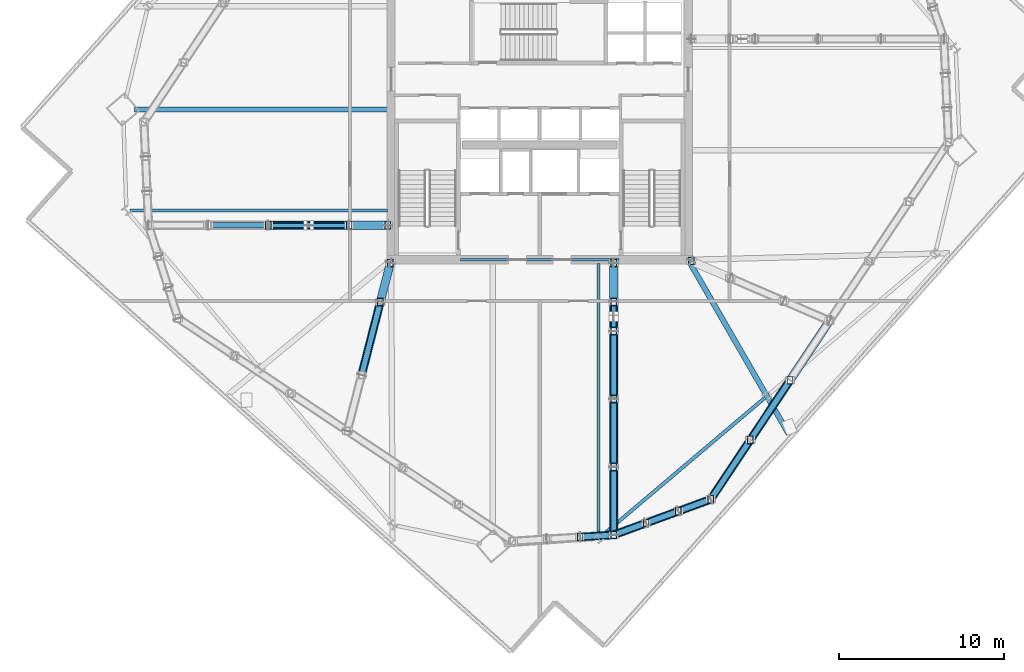
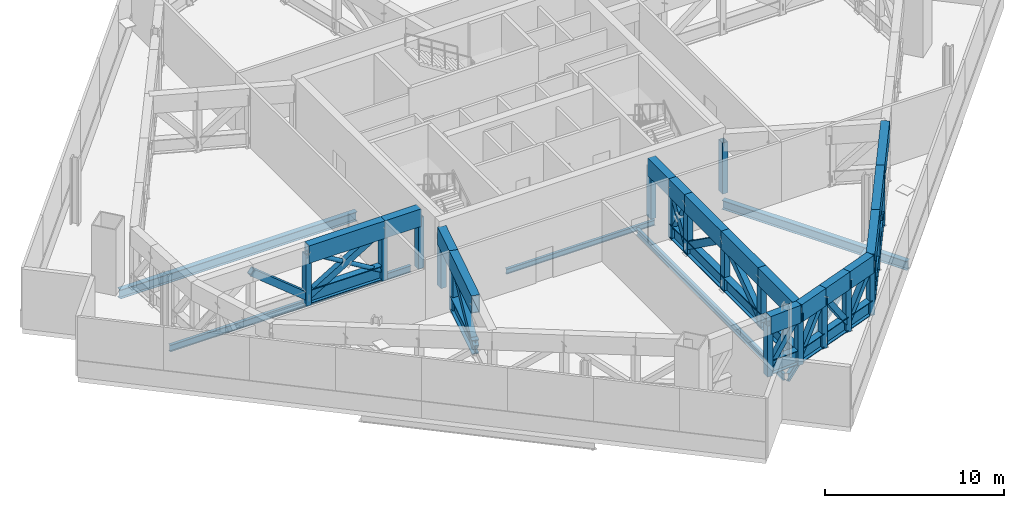
# One storey, part 3 of 18: 63 members, 6 beams.
"""IFC4 building model written with IfcOpenShell, lengths in metres."""

from ifc_helpers import new_model, si_unit, direction, frame, origin, origin_2d, place, context, subcontext, project, spatial, hollow_rectangle, hollow_circle, i_section, extrude, material, material_profile, profile_set, type_object, element, save


model = new_model("IFC4")

# Units and contexts
model_context = context("Model", 3, precision=1e-05, world=origin(), true_north=direction((0.0, 1.0)))
body_context = subcontext(model_context, "Body", "Model", "MODEL_VIEW")
ifc_project = project(units=[si_unit("LENGTHUNIT", "METRE"), si_unit("AREAUNIT", "SQUARE_METRE"), si_unit("VOLUMEUNIT", "CUBIC_METRE"), si_unit("PLANEANGLEUNIT", "RADIAN"), si_unit("MASSUNIT", "GRAM", prefix="KILO")], contexts=[model_context])

# Site, building, storey
site_placement = place(None, origin())
site = spatial("IfcSite", under=ifc_project, at=site_placement, CompositionType="ELEMENT")
building_placement = place(site_placement, origin())
building = spatial("IfcBuilding", under=site, at=building_placement, Name="Haldenkirk Collegiate Tower", CompositionType="ELEMENT")
storey_placement = place(building_placement, frame((0.0, 0.0, 189.449951171875)))
storey = spatial("IfcBuildingStorey", under=building, at=storey_placement, Name="L47", CompositionType="ELEMENT", Elevation=189.449951171875)

# Beams
ifc_material_1 = material(Name="Steel ASTM A992 Grade 50", Category="steel")
ifc_material_profile_1 = material_profile(ifc_material_1, i_section(OverallWidth=0.324951171875, OverallDepth=0.615966796875, WebThickness=0.013916015625, FlangeThickness=0.021484375, at=origin_2d()), Name="W24X117")
ifc_profile_set_1 = profile_set([ifc_material_profile_1], Name="Steel ASTM A992 Grade 50")
beam_type_1 = type_object("IfcBeamType", Name="BM-GIRDER-W24X117", PredefinedType="BEAM", material=ifc_profile_set_1)
beam_1_placement = place(storey_placement, frame((11.466064453125, 27.103759765625, -0.718017578125), z_axis=(1.0, 0.0, 0.0), x_axis=(0.0, 1.0, 0.0)))
element("IfcBeam", 1, at=beam_1_placement, inside=storey, type_object=beam_type_1, Name="L47 primary floor girder 04", PredefinedType="BEAM", context=body_context, shape_type="SweptSolid", body=[
    extrude(i_section(OverallWidth=0.324951171875, OverallDepth=0.615966796875, WebThickness=0.013916015625, FlangeThickness=0.021484375, at=origin_2d()), origin(), (0.0, 0.0, 1.0), 15.303955078125),
])
beam_2_placement = place(storey_placement, frame((51.0859375, 7.4482421875, -0.718017578125), z_axis=(-0.499617519011, 0.8662461167, 0.0), x_axis=(-0.8662461167, -0.499617519011, 0.0)))
element("IfcBeam", 2, at=beam_2_placement, inside=storey, type_object=beam_type_1, Name="L47 primary floor girder 06", PredefinedType="BEAM", context=body_context, shape_type="SweptSolid", body=[
    extrude(i_section(OverallWidth=0.324951171875, OverallDepth=0.615966796875, WebThickness=0.013916015625, FlangeThickness=0.021484375, at=origin_2d()), origin(), (0.0, 0.0, 1.0), 11.950927734375),
])
ifc_material_profile_2 = material_profile(ifc_material_1, i_section(OverallWidth=0.18994140625, OverallDepth=0.45703125, WebThickness=0.009033203125, FlangeThickness=0.014404296875, at=origin_2d()), Name="W18X50")
ifc_profile_set_2 = profile_set([ifc_material_profile_2], Name="Steel ASTM A992 Grade 50")
beam_type_2 = type_object("IfcBeamType", Name="BM-JOIST-W18X50", PredefinedType="JOIST", material=ifc_profile_set_2)
beam_3_placement = place(storey_placement, frame((39.568603515625, 1.342529296875, -0.638427734375), z_axis=(0.0, 1.0, 0.0), x_axis=(-1.0, 0.0, 0.0)))
element("IfcBeam", 3, at=beam_3_placement, inside=storey, type_object=beam_type_2, Name="L47 composite floor joist 05", PredefinedType="JOIST", context=body_context, shape_type="SweptSolid", body=[
    extrude(i_section(OverallWidth=0.18994140625, OverallDepth=0.45703125, WebThickness=0.009033203125, FlangeThickness=0.014404296875, at=origin_2d()), origin(), (0.0, 0.0, 1.0), 16.427490234375),
])
beam_4_placement = place(storey_placement, frame((11.1923828125, 20.9833984375, -0.638427734375), z_axis=(1.0, 0.0, 0.0), x_axis=(0.0, 1.0, 0.0)))
element("IfcBeam", 4, at=beam_4_placement, inside=storey, type_object=beam_type_2, Name="L47 composite floor joist 14", PredefinedType="JOIST", context=body_context, shape_type="SweptSolid", body=[
    extrude(i_section(OverallWidth=0.18994140625, OverallDepth=0.45703125, WebThickness=0.009033203125, FlangeThickness=0.014404296875, at=origin_2d()), origin(), (0.0, 0.0, 1.0), 15.57763671875),
])
ifc_material_profile_3 = material_profile(ifc_material_1, i_section(OverallWidth=0.1708984375, OverallDepth=0.35595703125, WebThickness=0.007080078125, FlangeThickness=0.01171875, at=origin_2d()), Name="W14X34")
ifc_profile_set_3 = profile_set([ifc_material_profile_3], Name="Steel ASTM A992 Grade 50")
beam_type_3 = type_object("IfcBeamType", Name="BM-LINTEL-W14X34", PredefinedType="LINTEL", material=ifc_profile_set_3)
beam_5_placement = place(storey_placement, frame((31.199951171875, 18.0, -0.587890625), z_axis=(1.0, 0.0, 0.0), x_axis=(0.0, 1.0, 0.0)))
element("IfcBeam", 5, at=beam_5_placement, inside=storey, type_object=beam_type_3, Name="L47 south core coupling lintel", PredefinedType="LINTEL", context=body_context, shape_type="SweptSolid", body=[
    extrude(i_section(OverallWidth=0.1708984375, OverallDepth=0.35595703125, WebThickness=0.007080078125, FlangeThickness=0.01171875, at=origin_2d()), origin(), (0.0, 0.0, 1.0), 9.60009765625),
])
ifc_material_profile_4 = material_profile(ifc_material_1, i_section(OverallWidth=0.2119140625, OverallDepth=0.5439453125, WebThickness=0.01318359375, FlangeThickness=0.021240234375, at=origin_2d()), Name="W21X83")
ifc_profile_set_4 = profile_set([ifc_material_profile_4], Name="Steel ASTM A992 Grade 50")
beam_type_4 = type_object("IfcBeamType", Name="BM-SPANDREL-W21X83", PredefinedType="SPANDREL", material=ifc_profile_set_4)
beam_6_placement = place(storey_placement, frame((39.743408203125, 1.261474609375, -0.681884765625), z_axis=(0.763233335078, 0.646122957514, 0.0), x_axis=(-0.646122957514, 0.763233335078, 0.0)))
element("IfcBeam", 6, at=beam_6_placement, inside=storey, type_object=beam_type_4, Name="L47 perimeter spandrel beam 02", PredefinedType="SPANDREL", context=body_context, shape_type="SweptSolid", body=[
    extrude(i_section(OverallWidth=0.2119140625, OverallDepth=0.5439453125, WebThickness=0.01318359375, FlangeThickness=0.021240234375, at=origin_2d()), origin(), (0.0, 0.0, 1.0), 12.898193359375),
])

# Members
ifc_material_2 = material(Name="Steel ASTM A572 Grade 50", Category="steel")
ifc_material_profile_5 = material_profile(ifc_material_2, hollow_rectangle(XDim=0.5, YDim=1.199951171875, WallThickness=0.050048828125, at=origin_2d()), Name="BOX1200X500X50")
ifc_profile_set_5 = profile_set([ifc_material_profile_5], Name="Steel ASTM A572 Grade 50")
member_type_1 = type_object("IfcMemberType", Name="MBR-CHORD-BOX1200", PredefinedType="CHORD", material=ifc_profile_set_5)
member_1_placement = place(storey_placement, frame((40.482666015625, 17.800048828125, 3.489990234375), z_axis=(0.0, -1.0, 0.0), x_axis=(1.0, 0.0, 0.0)))
element("IfcMember", 7, at=member_1_placement, inside=storey, type_object=member_type_1, Name="Outrigger Truss L47 Radial 01 top chord 1", PredefinedType="CHORD", context=body_context, shape_type="SweptSolid", body=[
    extrude(hollow_rectangle(XDim=0.5, YDim=1.199951171875, WallThickness=0.050048828125, at=origin_2d()), origin(), (0.0, 0.0, 1.0), 2.35009765625),
])
member_2_placement = place(storey_placement, frame((40.482666015625, 15.449951171875, 3.489990234375), z_axis=(0.0, -1.0, 0.0), x_axis=(1.0, 0.0, 0.0)))
element("IfcMember", 8, at=member_2_placement, inside=storey, type_object=member_type_1, Name="Outrigger Truss L47 Radial 01 top chord 2", PredefinedType="CHORD", context=body_context, shape_type="SweptSolid", body=[
    extrude(hollow_rectangle(XDim=0.5, YDim=1.199951171875, WallThickness=0.050048828125, at=origin_2d()), origin(), (0.0, 0.0, 1.0), 1.766845703125),
])
for number, where, z_axis, x_axis, name in (
    (9, (40.482666015625, 13.68310546875, 3.489990234375), (0.0, -1.0, 0.0), (1.0, 0.0, 0.0), "Outrigger Truss L47 Radial 01 top chord 3"),
    (10, (40.482666015625, 9.56640625, 3.489990234375), (0.0, -1.0, 0.0), (1.0, 0.0, 0.0), "Outrigger Truss L47 Radial 01 top chord 4"),
):
    element("IfcMember", number, at=place(storey_placement, frame(where, z_axis=z_axis, x_axis=x_axis)), inside=storey, type_object=member_type_1, Name=name, PredefinedType="CHORD", context=body_context, shape_type="SweptSolid", body=[
        extrude(hollow_rectangle(XDim=0.5, YDim=1.199951171875, WallThickness=0.050048828125, at=origin_2d()), origin(), (0.0, 0.0, 1.0), 4.11669921875),
    ])
member_3_placement = place(storey_placement, frame((40.482666015625, 5.44970703125, 3.489990234375), z_axis=(0.0, -1.0, 0.0), x_axis=(1.0, 0.0, 0.0)))
element("IfcMember", 11, at=member_3_placement, inside=storey, type_object=member_type_1, Name="Outrigger Truss L47 Radial 01 top chord 5", PredefinedType="CHORD", context=body_context, shape_type="SweptSolid", body=[
    extrude(hollow_rectangle(XDim=0.5, YDim=1.199951171875, WallThickness=0.050048828125, at=origin_2d()), origin(), (0.0, 0.0, 1.0), 4.116943359375),
])
member_4_placement = place(storey_placement, frame((26.800048828125, 20.089599609375, 3.489990234375), z_axis=(-1.0, 0.0, 0.0), x_axis=(0.0, -1.0, 0.0)))
element("IfcMember", 12, at=member_4_placement, inside=storey, type_object=member_type_1, Name="Outrigger Truss L47 Radial 04 top chord 1", PredefinedType="CHORD", context=body_context, shape_type="SweptSolid", body=[
    extrude(hollow_rectangle(XDim=0.5, YDim=1.199951171875, WallThickness=0.050048828125, at=origin_2d()), origin(), (0.0, 0.0, 1.0), 2.35009765625),
])
member_5_placement = place(storey_placement, frame((24.449951171875, 20.089599609375, 3.489990234375), z_axis=(-1.0, 0.0, 0.0), x_axis=(0.0, -1.0, 0.0)))
element("IfcMember", 13, at=member_5_placement, inside=storey, type_object=member_type_1, Name="Outrigger Truss L47 Radial 04 top chord 2", PredefinedType="CHORD", context=body_context, shape_type="SweptSolid", body=[
    extrude(hollow_rectangle(XDim=0.5, YDim=1.199951171875, WallThickness=0.050048828125, at=origin_2d()), origin(), (0.0, 0.0, 1.0), 4.897705078125),
])
member_6_placement = place(storey_placement, frame((26.950439453125, 17.806396484375, 3.489990234375), z_axis=(-0.248199075307, -0.968709047659, 0.0), x_axis=(0.968709047659, -0.248199075307, 0.0)))
element("IfcMember", 14, at=member_6_placement, inside=storey, type_object=member_type_1, Name="Outrigger Truss L47 Radial 08 top chord 1", PredefinedType="CHORD", context=body_context, shape_type="SweptSolid", body=[
    extrude(hollow_rectangle(XDim=0.5, YDim=1.199951171875, WallThickness=0.050048828125, at=origin_2d()), origin(), (0.0, 0.0, 1.0), 2.4326171875),
])
member_7_placement = place(storey_placement, frame((26.3466796875, 15.449951171875, 3.489990234375), z_axis=(-0.248200545178, -0.968708671053, 0.0), x_axis=(0.968708671053, -0.248200545178, 0.0)))
element("IfcMember", 15, at=member_7_placement, inside=storey, type_object=member_type_1, Name="Outrigger Truss L47 Radial 08 top chord 2", PredefinedType="CHORD", context=body_context, shape_type="SweptSolid", body=[
    extrude(hollow_rectangle(XDim=0.5, YDim=1.199951171875, WallThickness=0.050048828125, at=origin_2d()), origin(), (0.0, 0.0, 1.0), 4.570068359375),
])
member_8_placement = place(storey_placement, frame((40.482666015625, 1.332763671875, 3.489990234375), z_axis=(0.938837256567, 0.344361155884, 0.0), x_axis=(-0.344361155884, 0.938837256567, 0.0)))
element("IfcMember", 16, at=member_8_placement, inside=storey, type_object=member_type_1, Name="Belt Truss L47-01 top chord 1", PredefinedType="CHORD", context=body_context, shape_type="SweptSolid", body=[
    extrude(hollow_rectangle(XDim=0.5, YDim=1.199951171875, WallThickness=0.050048828125, at=origin_2d()), origin(), (0.0, 0.0, 1.0), 2.087890625),
])
member_9_placement = place(storey_placement, frame((42.44287109375, 2.0517578125, 3.489990234375), z_axis=(0.938823388093, 0.34439896337, 0.0), x_axis=(-0.34439896337, 0.938823388093, 0.0)))
element("IfcMember", 17, at=member_9_placement, inside=storey, type_object=member_type_1, Name="Belt Truss L47-01 top chord 2", PredefinedType="CHORD", context=body_context, shape_type="SweptSolid", body=[
    extrude(hollow_rectangle(XDim=0.5, YDim=1.199951171875, WallThickness=0.050048828125, at=origin_2d()), origin(), (0.0, 0.0, 1.0), 2.087646484375),
])
member_10_placement = place(storey_placement, frame((44.40283203125, 2.770751953125, 3.489990234375), z_axis=(0.938837256567, 0.344361155884, 0.0), x_axis=(-0.344361155884, 0.938837256567, 0.0)))
element("IfcMember", 18, at=member_10_placement, inside=storey, type_object=member_type_1, Name="Belt Truss L47-01 top chord 3", PredefinedType="CHORD", context=body_context, shape_type="SweptSolid", body=[
    extrude(hollow_rectangle(XDim=0.5, YDim=1.199951171875, WallThickness=0.050048828125, at=origin_2d()), origin(), (0.0, 0.0, 1.0), 2.087890625),
])
member_11_placement = place(storey_placement, frame((46.363037109375, 3.48974609375, 3.489990234375), z_axis=(0.554127798102, 0.832431608825, 0.0), x_axis=(-0.832431608825, 0.554127798102, 0.0)))
element("IfcMember", 19, at=member_11_placement, inside=storey, type_object=member_type_1, Name="Belt Truss L47-02 top chord 1", PredefinedType="CHORD", context=body_context, shape_type="SweptSolid", body=[
    extrude(hollow_rectangle(XDim=0.5, YDim=1.199951171875, WallThickness=0.050048828125, at=origin_2d()), origin(), (0.0, 0.0, 1.0), 4.331787109375),
])
member_12_placement = place(storey_placement, frame((48.763427734375, 7.095703125, 3.489990234375), z_axis=(0.554140853784, 0.832422917853, 0.0), x_axis=(-0.832422917853, 0.554140853784, 0.0)))
element("IfcMember", 20, at=member_12_placement, inside=storey, type_object=member_type_1, Name="Belt Truss L47-02 top chord 2", PredefinedType="CHORD", context=body_context, shape_type="SweptSolid", body=[
    extrude(hollow_rectangle(XDim=0.5, YDim=1.199951171875, WallThickness=0.050048828125, at=origin_2d()), origin(), (0.0, 0.0, 1.0), 4.332275390625),
])
member_13_placement = place(storey_placement, frame((51.1640625, 10.701904296875, 3.489990234375), z_axis=(0.554101801852, 0.832448913258, 0.0), x_axis=(-0.832448913258, 0.554101801852, 0.0)))
element("IfcMember", 21, at=member_13_placement, inside=storey, type_object=member_type_1, Name="Belt Truss L47-02 top chord 3", PredefinedType="CHORD", context=body_context, shape_type="SweptSolid", body=[
    extrude(hollow_rectangle(XDim=0.5, YDim=1.199951171875, WallThickness=0.050048828125, at=origin_2d()), origin(), (0.0, 0.0, 1.0), 4.33203125),
])
member_14_placement = place(storey_placement, frame((38.447265625, 1.2060546875, 3.489990234375), z_axis=(0.998067920204, 0.062132331844, 0.0), x_axis=(-0.062132331844, 0.998067920204, 0.0)))
element("IfcMember", 22, at=member_14_placement, inside=storey, type_object=member_type_1, Name="Belt Truss L47-16 top chord 3", PredefinedType="CHORD", context=body_context, shape_type="SweptSolid", body=[
    extrude(hollow_rectangle(XDim=0.5, YDim=1.199951171875, WallThickness=0.050048828125, at=origin_2d()), origin(), (0.0, 0.0, 1.0), 2.039306640625),
])
ifc_material_3 = material(Name="Steel ASTM A913 Grade 65", Category="steel")
ifc_material_profile_6 = material_profile(ifc_material_3, i_section(OverallWidth=0.423095703125, OverallDepth=0.947998046875, WebThickness=0.02392578125, FlangeThickness=0.042724609375, at=origin_2d()), Name="W36X302")
ifc_profile_set_6 = profile_set([ifc_material_profile_6], Name="Steel ASTM A913 Grade 65")
member_type_2 = type_object("IfcMemberType", Name="MBR-CHORD-W36X302", PredefinedType="CHORD", material=ifc_profile_set_6)
member_15_placement = place(storey_placement, frame((40.482666015625, 15.449951171875, 0.550048828125), z_axis=(0.0, -1.0, 0.0), x_axis=(1.0, 0.0, 0.0)))
element("IfcMember", 23, at=member_15_placement, inside=storey, type_object=member_type_2, Name="Outrigger Truss L47 Radial 01 bottom chord 2", PredefinedType="CHORD", context=body_context, shape_type="SweptSolid", body=[
    extrude(i_section(OverallWidth=0.423095703125, OverallDepth=0.947998046875, WebThickness=0.02392578125, FlangeThickness=0.042724609375, at=origin_2d()), origin(), (0.0, 0.0, 1.0), 1.766845703125),
])
for number, where, z_axis, x_axis, name in (
    (24, (40.482666015625, 13.68310546875, 0.550048828125), (0.0, -1.0, 0.0), (1.0, 0.0, 0.0), "Outrigger Truss L47 Radial 01 bottom chord 3"),
    (25, (40.482666015625, 9.56640625, 0.550048828125), (0.0, -1.0, 0.0), (1.0, 0.0, 0.0), "Outrigger Truss L47 Radial 01 bottom chord 4"),
):
    element("IfcMember", number, at=place(storey_placement, frame(where, z_axis=z_axis, x_axis=x_axis)), inside=storey, type_object=member_type_2, Name=name, PredefinedType="CHORD", context=body_context, shape_type="SweptSolid", body=[
        extrude(i_section(OverallWidth=0.423095703125, OverallDepth=0.947998046875, WebThickness=0.02392578125, FlangeThickness=0.042724609375, at=origin_2d()), origin(), (0.0, 0.0, 1.0), 4.11669921875),
    ])
member_16_placement = place(storey_placement, frame((40.482666015625, 5.44970703125, 0.550048828125), z_axis=(0.0, -1.0, 0.0), x_axis=(1.0, 0.0, 0.0)))
element("IfcMember", 26, at=member_16_placement, inside=storey, type_object=member_type_2, Name="Outrigger Truss L47 Radial 01 bottom chord 5", PredefinedType="CHORD", context=body_context, shape_type="SweptSolid", body=[
    extrude(i_section(OverallWidth=0.423095703125, OverallDepth=0.947998046875, WebThickness=0.02392578125, FlangeThickness=0.042724609375, at=origin_2d()), origin(), (0.0, 0.0, 1.0), 4.116943359375),
])
member_17_placement = place(storey_placement, frame((24.449951171875, 20.089599609375, 0.550048828125), z_axis=(-1.0, 0.0, 0.0), x_axis=(0.0, -1.0, 0.0)))
element("IfcMember", 27, at=member_17_placement, inside=storey, type_object=member_type_2, Name="Outrigger Truss L47 Radial 04 bottom chord 2", PredefinedType="CHORD", context=body_context, shape_type="SweptSolid", body=[
    extrude(i_section(OverallWidth=0.423095703125, OverallDepth=0.947998046875, WebThickness=0.02392578125, FlangeThickness=0.042724609375, at=origin_2d()), origin(), (0.0, 0.0, 1.0), 4.897705078125),
])
member_18_placement = place(storey_placement, frame((26.3466796875, 15.449951171875, 0.550048828125), z_axis=(-0.248200545178, -0.968708671053, 0.0), x_axis=(0.968708671053, -0.248200545178, 0.0)))
element("IfcMember", 28, at=member_18_placement, inside=storey, type_object=member_type_2, Name="Outrigger Truss L47 Radial 08 bottom chord 2", PredefinedType="CHORD", context=body_context, shape_type="SweptSolid", body=[
    extrude(i_section(OverallWidth=0.423095703125, OverallDepth=0.947998046875, WebThickness=0.02392578125, FlangeThickness=0.042724609375, at=origin_2d()), origin(), (0.0, 0.0, 1.0), 4.570068359375),
])
member_19_placement = place(storey_placement, frame((40.482666015625, 1.332763671875, 0.550048828125), z_axis=(0.938837256567, 0.344361155884, 0.0), x_axis=(-0.344361155884, 0.938837256567, 0.0)))
element("IfcMember", 29, at=member_19_placement, inside=storey, type_object=member_type_2, Name="Belt Truss L47-01 bottom chord 1", PredefinedType="CHORD", context=body_context, shape_type="SweptSolid", body=[
    extrude(i_section(OverallWidth=0.423095703125, OverallDepth=0.947998046875, WebThickness=0.02392578125, FlangeThickness=0.042724609375, at=origin_2d()), origin(), (0.0, 0.0, 1.0), 2.087890625),
])
member_20_placement = place(storey_placement, frame((42.44287109375, 2.0517578125, 0.550048828125), z_axis=(0.938823388093, 0.34439896337, 0.0), x_axis=(-0.34439896337, 0.938823388093, 0.0)))
element("IfcMember", 30, at=member_20_placement, inside=storey, type_object=member_type_2, Name="Belt Truss L47-01 bottom chord 2", PredefinedType="CHORD", context=body_context, shape_type="SweptSolid", body=[
    extrude(i_section(OverallWidth=0.423095703125, OverallDepth=0.947998046875, WebThickness=0.02392578125, FlangeThickness=0.042724609375, at=origin_2d()), origin(), (0.0, 0.0, 1.0), 2.087646484375),
])
member_21_placement = place(storey_placement, frame((44.40283203125, 2.770751953125, 0.550048828125), z_axis=(0.938837256567, 0.344361155884, 0.0), x_axis=(-0.344361155884, 0.938837256567, 0.0)))
element("IfcMember", 31, at=member_21_placement, inside=storey, type_object=member_type_2, Name="Belt Truss L47-01 bottom chord 3", PredefinedType="CHORD", context=body_context, shape_type="SweptSolid", body=[
    extrude(i_section(OverallWidth=0.423095703125, OverallDepth=0.947998046875, WebThickness=0.02392578125, FlangeThickness=0.042724609375, at=origin_2d()), origin(), (0.0, 0.0, 1.0), 2.087890625),
])
member_22_placement = place(storey_placement, frame((46.363037109375, 3.48974609375, 0.550048828125), z_axis=(0.554127798102, 0.832431608825, 0.0), x_axis=(-0.832431608825, 0.554127798102, 0.0)))
element("IfcMember", 32, at=member_22_placement, inside=storey, type_object=member_type_2, Name="Belt Truss L47-02 bottom chord 1", PredefinedType="CHORD", context=body_context, shape_type="SweptSolid", body=[
    extrude(i_section(OverallWidth=0.423095703125, OverallDepth=0.947998046875, WebThickness=0.02392578125, FlangeThickness=0.042724609375, at=origin_2d()), origin(), (0.0, 0.0, 1.0), 4.331787109375),
])
member_23_placement = place(storey_placement, frame((48.763427734375, 7.095703125, 0.550048828125), z_axis=(0.554140853784, 0.832422917853, 0.0), x_axis=(-0.832422917853, 0.554140853784, 0.0)))
element("IfcMember", 33, at=member_23_placement, inside=storey, type_object=member_type_2, Name="Belt Truss L47-02 bottom chord 2", PredefinedType="CHORD", context=body_context, shape_type="SweptSolid", body=[
    extrude(i_section(OverallWidth=0.423095703125, OverallDepth=0.947998046875, WebThickness=0.02392578125, FlangeThickness=0.042724609375, at=origin_2d()), origin(), (0.0, 0.0, 1.0), 4.332275390625),
])
member_24_placement = place(storey_placement, frame((38.447265625, 1.2060546875, 0.550048828125), z_axis=(0.998067920204, 0.062132331844, 0.0), x_axis=(-0.062132331844, 0.998067920204, 0.0)))
element("IfcMember", 34, at=member_24_placement, inside=storey, type_object=member_type_2, Name="Belt Truss L47-16 bottom chord 3", PredefinedType="CHORD", context=body_context, shape_type="SweptSolid", body=[
    extrude(i_section(OverallWidth=0.423095703125, OverallDepth=0.947998046875, WebThickness=0.02392578125, FlangeThickness=0.042724609375, at=origin_2d()), origin(), (0.0, 0.0, 1.0), 2.039306640625),
])
ifc_material_profile_7 = material_profile(ifc_material_2, hollow_circle(Radius=0.136474609375, WallThickness=0.011962890625, at=origin_2d()), Name="CHS273X12")
ifc_profile_set_7 = profile_set([ifc_material_profile_7], Name="Steel ASTM A572 Grade 50")
member_type_3 = type_object("IfcMemberType", Name="MBR-STRUT-CHS273", PredefinedType="STRUT", material=ifc_profile_set_7)
for number, where, z_axis, x_axis, name in (
    (35, (40.482666015625, 15.449951171875, 0.550048828125), (0.0, -0.515055446338, 0.857156862656), (1.0, 0.0, 0.0), "Outrigger Truss L47 Radial 01 split X-brace diagonal 2A"),
    (36, (40.482666015625, 14.443115234375, 2.225830078125), (0.0, -0.515250112719, 0.857039859833), (1.0, 0.0, 0.0), "Outrigger Truss L47 Radial 01 split X-brace diagonal 2B"),
):
    element("IfcMember", number, at=place(storey_placement, frame(where, z_axis=z_axis, x_axis=x_axis)), inside=storey, type_object=member_type_3, Name=name, PredefinedType="STRUT", context=body_context, shape_type="SweptSolid", body=[
        extrude(hollow_circle(Radius=0.136474609375, WallThickness=0.011962890625, at=origin_2d()), origin(), (0.0, 0.0, 1.0), 1.47509765625),
    ])
for number, where, z_axis, x_axis, name in (
    (37, (24.449951171875, 20.089599609375, 0.550048828125), (-0.857402339436, 0.0, 0.514646702437), (0.0, -1.0, 0.0), "Outrigger Truss L47 Radial 04 split X-brace diagonal 2A"),
    (38, (21.79541015625, 20.089599609375, 2.1435546875), (-0.857402339436, 0.0, 0.514646702437), (0.0, -1.0, 0.0), "Outrigger Truss L47 Radial 04 split X-brace diagonal 2B"),
):
    element("IfcMember", number, at=place(storey_placement, frame(where, z_axis=z_axis, x_axis=x_axis)), inside=storey, type_object=member_type_3, Name=name, PredefinedType="STRUT", context=body_context, shape_type="SweptSolid", body=[
        extrude(hollow_circle(Radius=0.136474609375, WallThickness=0.011962890625, at=origin_2d()), origin(), (0.0, 0.0, 1.0), 2.6162109375),
    ])
ifc_material_profile_8 = material_profile(ifc_material_2, hollow_rectangle(XDim=0.35009765625, YDim=0.35009765625, WallThickness=0.01611328125, at=origin_2d()), Name="HSS350X350X16")
ifc_profile_set_8 = profile_set([ifc_material_profile_8], Name="Steel ASTM A572 Grade 50")
member_type_4 = type_object("IfcMemberType", Name="MBR-TRUSSDIAG-HSS350X350X16", PredefinedType="BRACE", material=ifc_profile_set_8)
member_25_placement = place(storey_placement, frame((40.482666015625, 1.332763671875, 0.550048828125), z_axis=(0.543608461849, 0.199393065157, 0.815311134337), x_axis=(-0.344361155884, 0.938837256567, 0.0)))
element("IfcMember", 39, at=member_25_placement, inside=storey, type_object=member_type_4, Name="Belt Truss L47-01 web diagonal 1", PredefinedType="BRACE", context=body_context, shape_type="SweptSolid", body=[
    extrude(hollow_rectangle(XDim=0.35009765625, YDim=0.35009765625, WallThickness=0.01611328125, at=origin_2d()), origin(), (0.0, 0.0, 1.0), 3.60595703125),
])
member_26_placement = place(storey_placement, frame((42.44287109375, 2.0517578125, 3.489990234375), z_axis=(0.543560761291, 0.199400403837, -0.815341141937), x_axis=(-0.34439896337, 0.938823388093, 0.0)))
element("IfcMember", 40, at=member_26_placement, inside=storey, type_object=member_type_4, Name="Belt Truss L47-01 web diagonal 2", PredefinedType="BRACE", context=body_context, shape_type="SweptSolid", body=[
    extrude(hollow_rectangle(XDim=0.35009765625, YDim=0.35009765625, WallThickness=0.01611328125, at=origin_2d()), origin(), (0.0, 0.0, 1.0), 3.605712890625),
])
member_27_placement = place(storey_placement, frame((44.40283203125, 2.770751953125, 0.550048828125), z_axis=(0.543608461849, 0.199393065157, 0.815311134337), x_axis=(-0.344361155884, 0.938837256567, 0.0)))
element("IfcMember", 41, at=member_27_placement, inside=storey, type_object=member_type_4, Name="Belt Truss L47-01 web diagonal 3", PredefinedType="BRACE", context=body_context, shape_type="SweptSolid", body=[
    extrude(hollow_rectangle(XDim=0.35009765625, YDim=0.35009765625, WallThickness=0.01611328125, at=origin_2d()), origin(), (0.0, 0.0, 1.0), 3.60595703125),
])
member_28_placement = place(storey_placement, frame((46.363037109375, 3.48974609375, 0.550048828125), z_axis=(0.458503652424, 0.688781422528, 0.56156437983), x_axis=(-0.832431608825, 0.554127798102, 0.0)))
element("IfcMember", 42, at=member_28_placement, inside=storey, type_object=member_type_4, Name="Belt Truss L47-02 web diagonal 1", PredefinedType="BRACE", context=body_context, shape_type="SweptSolid", body=[
    extrude(hollow_rectangle(XDim=0.35009765625, YDim=0.35009765625, WallThickness=0.01611328125, at=origin_2d()), origin(), (0.0, 0.0, 1.0), 5.2353515625),
])
member_29_placement = place(storey_placement, frame((48.763427734375, 7.095703125, 3.489990234375), z_axis=(0.458525753724, 0.688791203931, -0.561534336046), x_axis=(-0.832422917853, 0.554140853784, 0.0)))
element("IfcMember", 43, at=member_29_placement, inside=storey, type_object=member_type_4, Name="Belt Truss L47-02 web diagonal 2", PredefinedType="BRACE", context=body_context, shape_type="SweptSolid", body=[
    extrude(hollow_rectangle(XDim=0.35009765625, YDim=0.35009765625, WallThickness=0.01611328125, at=origin_2d()), origin(), (0.0, 0.0, 1.0), 5.235595703125),
])
member_30_placement = place(storey_placement, frame((38.447265625, 1.2060546875, 0.550048828125), z_axis=(0.568863588776, 0.035413242482, 0.821669105919), x_axis=(-0.062132331844, 0.998067920204, 0.0)))
element("IfcMember", 44, at=member_30_placement, inside=storey, type_object=member_type_4, Name="Belt Truss L47-16 web diagonal 3", PredefinedType="BRACE", context=body_context, shape_type="SweptSolid", body=[
    extrude(hollow_rectangle(XDim=0.35009765625, YDim=0.35009765625, WallThickness=0.01611328125, at=origin_2d()), origin(), (0.0, 0.0, 1.0), 3.578125),
])
ifc_material_profile_9 = material_profile(ifc_material_2, hollow_rectangle(XDim=0.35009765625, YDim=0.449951171875, WallThickness=0.02197265625, at=origin_2d()), Name="HSS450X350X22")
ifc_profile_set_9 = profile_set([ifc_material_profile_9], Name="Steel ASTM A572 Grade 50")
member_type_5 = type_object("IfcMemberType", Name="MBR-TRUSSDIAG-HSS450X350X22", PredefinedType="BRACE", material=ifc_profile_set_9)
member_31_placement = place(storey_placement, frame((40.482666015625, 15.449951171875, 3.489990234375), z_axis=(0.0, -0.515113193429, -0.857122160462), x_axis=(1.0, 0.0, 0.0)))
element("IfcMember", 45, at=member_31_placement, inside=storey, type_object=member_type_5, Name="Outrigger Truss L47 Radial 01 web diagonal 2", PredefinedType="BRACE", context=body_context, shape_type="SweptSolid", body=[
    extrude(hollow_rectangle(XDim=0.35009765625, YDim=0.449951171875, WallThickness=0.02197265625, at=origin_2d()), origin(), (0.0, 0.0, 1.0), 3.429931640625),
])
for number, where, z_axis, x_axis, name in (
    (46, (40.482666015625, 13.68310546875, 0.550048828125), (0.0, -0.813785642538, 0.581165146924), (1.0, 0.0, 0.0), "Outrigger Truss L47 Radial 01 web diagonal 3"),
    (47, (40.482666015625, 9.56640625, 3.489990234375), (0.0, -0.813785642538, -0.581165146924), (1.0, 0.0, 0.0), "Outrigger Truss L47 Radial 01 web diagonal 4"),
):
    element("IfcMember", number, at=place(storey_placement, frame(where, z_axis=z_axis, x_axis=x_axis)), inside=storey, type_object=member_type_5, Name=name, PredefinedType="BRACE", context=body_context, shape_type="SweptSolid", body=[
        extrude(hollow_rectangle(XDim=0.35009765625, YDim=0.449951171875, WallThickness=0.02197265625, at=origin_2d()), origin(), (0.0, 0.0, 1.0), 5.05859375),
    ])
member_32_placement = place(storey_placement, frame((40.482666015625, 5.44970703125, 0.550048828125), z_axis=(0.0, -0.813801942045, 0.581142322606), x_axis=(1.0, 0.0, 0.0)))
element("IfcMember", 48, at=member_32_placement, inside=storey, type_object=member_type_5, Name="Outrigger Truss L47 Radial 01 web diagonal 5", PredefinedType="BRACE", context=body_context, shape_type="SweptSolid", body=[
    extrude(hollow_rectangle(XDim=0.35009765625, YDim=0.449951171875, WallThickness=0.02197265625, at=origin_2d()), origin(), (0.0, 0.0, 1.0), 5.058837890625),
])
member_33_placement = place(storey_placement, frame((24.449951171875, 20.089599609375, 3.489990234375), z_axis=(-0.857391089062, 0.0, -0.514665445117), x_axis=(0.0, -1.0, 0.0)))
element("IfcMember", 49, at=member_33_placement, inside=storey, type_object=member_type_5, Name="Outrigger Truss L47 Radial 04 web diagonal 2", PredefinedType="BRACE", context=body_context, shape_type="SweptSolid", body=[
    extrude(hollow_rectangle(XDim=0.35009765625, YDim=0.449951171875, WallThickness=0.02197265625, at=origin_2d()), origin(), (0.0, 0.0, 1.0), 5.71240234375),
])
member_34_placement = place(storey_placement, frame((19.55224609375, 20.089599609375, 0.550048828125), z_axis=(-0.776573094803, 0.0, 0.630027164833), x_axis=(0.0, -1.0, 0.0)))
element("IfcMember", 50, at=member_34_placement, inside=storey, type_object=member_type_5, Name="Outrigger Truss L47 Radial 04 web diagonal 3", PredefinedType="BRACE", context=body_context, shape_type="SweptSolid", body=[
    extrude(hollow_rectangle(XDim=0.35009765625, YDim=0.449951171875, WallThickness=0.02197265625, at=origin_2d()), origin(), (0.0, 0.0, 1.0), 4.666259765625),
])
member_35_placement = place(storey_placement, frame((26.3466796875, 15.449951171875, 3.489990234375), z_axis=(-0.20873768723, -0.814688007435, -0.5410286762), x_axis=(0.968708671053, -0.248200545178, 0.0)))
element("IfcMember", 51, at=member_35_placement, inside=storey, type_object=member_type_5, Name="Outrigger Truss L47 Radial 08 web diagonal 2", PredefinedType="BRACE", context=body_context, shape_type="SweptSolid", body=[
    extrude(hollow_rectangle(XDim=0.35009765625, YDim=0.449951171875, WallThickness=0.02197265625, at=origin_2d()), origin(), (0.0, 0.0, 1.0), 5.43408203125),
])
ifc_material_profile_10 = material_profile(ifc_material_2, hollow_rectangle(XDim=0.35009765625, YDim=0.449951171875, WallThickness=0.02197265625, at=origin_2d()), Name="HSS450X350X22")
ifc_profile_set_10 = profile_set([ifc_material_profile_10], Name="Steel ASTM A572 Grade 50")
member_type_6 = type_object("IfcMemberType", Name="MBR-TRUSSPOST-HSS450X350X22", PredefinedType="POST", material=ifc_profile_set_10)
for number, where, z_axis, x_axis, name in (
    (52, (40.482666015625, 17.800048828125, 0.0), (0.0, 0.0, 1.0), (1.0, 0.0, 0.0), "Outrigger Truss L47 Radial 01 vertical post 1"),
    (53, (40.482666015625, 15.449951171875, 0.0), (0.0, 0.0, 1.0), (1.0, 0.0, 0.0), "Outrigger Truss L47 Radial 01 vertical post 2"),
    (54, (40.482666015625, 13.68310546875, 0.0), (0.0, 0.0, 1.0), (1.0, 0.0, 0.0), "Outrigger Truss L47 Radial 01 vertical post 3"),
    (55, (40.482666015625, 9.56640625, 0.0), (0.0, 0.0, 1.0), (1.0, 0.0, 0.0), "Outrigger Truss L47 Radial 01 vertical post 4"),
    (56, (40.482666015625, 5.44970703125, 0.0), (0.0, 0.0, 1.0), (1.0, 0.0, 0.0), "Outrigger Truss L47 Radial 01 vertical post 5"),
    (57, (40.482666015625, 1.332763671875, 0.0), (0.0, 0.0, 1.0), (1.0, 0.0, 0.0), "Outrigger Truss L47 Radial 01 vertical post 6"),
    (58, (26.800048828125, 20.089599609375, 0.0), (0.0, 0.0, 1.0), (1.0, 0.0, 0.0), "Outrigger Truss L47 Radial 04 vertical post 1"),
    (59, (24.449951171875, 20.089599609375, 0.0), (0.0, 0.0, 1.0), (1.0, 0.0, 0.0), "Outrigger Truss L47 Radial 04 vertical post 2"),
    (60, (19.55224609375, 20.089599609375, 0.0), (0.0, 0.0, 1.0), (1.0, 0.0, 0.0), "Outrigger Truss L47 Radial 04 vertical post 3"),
    (61, (45.18359375, 17.9208984375, 0.0), (0.0, 0.0, 1.0), (1.0, 0.0, 0.0), "Outrigger Truss L47 Radial 05 vertical post 1"),
    (62, (26.950439453125, 17.806396484375, 0.0), (0.0, 0.0, 1.0), (1.0, 0.0, 0.0), "Outrigger Truss L47 Radial 08 vertical post 1"),
    (63, (26.3466796875, 15.449951171875, 0.0), (0.0, 0.0, 1.0), (1.0, 0.0, 0.0), "Outrigger Truss L47 Radial 08 vertical post 2"),
    (64, (42.44287109375, 2.0517578125, 0.0), (0.0, 0.0, 1.0), (1.0, 0.0, 0.0), "Belt Truss L47-01 vertical post 2"),
    (65, (44.40283203125, 2.770751953125, 0.0), (0.0, 0.0, 1.0), (1.0, 0.0, 0.0), "Belt Truss L47-01 vertical post 3"),
    (66, (46.363037109375, 3.48974609375, 0.0), (0.0, 0.0, 1.0), (1.0, 0.0, 0.0), "Belt Truss L47-01 vertical post 4"),
    (67, (48.763427734375, 7.095703125, 0.0), (0.0, 0.0, 1.0), (1.0, 0.0, 0.0), "Belt Truss L47-02 vertical post 2"),
    (68, (51.1640625, 10.701904296875, 0.0), (0.0, 0.0, 1.0), (1.0, 0.0, 0.0), "Belt Truss L47-02 vertical post 3"),
    (69, (38.447265625, 1.2060546875, 0.0), (0.0, 0.0, 1.0), (1.0, 0.0, 0.0), "Belt Truss L47-16 vertical post 3"),
):
    element("IfcMember", number, at=place(storey_placement, frame(where, z_axis=z_axis, x_axis=x_axis)), inside=storey, type_object=member_type_6, Name=name, PredefinedType="POST", context=body_context, shape_type="SweptSolid", body=[
        extrude(hollow_rectangle(XDim=0.35009765625, YDim=0.449951171875, WallThickness=0.02197265625, at=origin_2d()), origin(), (0.0, 0.0, 1.0), 3.489990234375),
    ])

save(model, "model.ifc")
